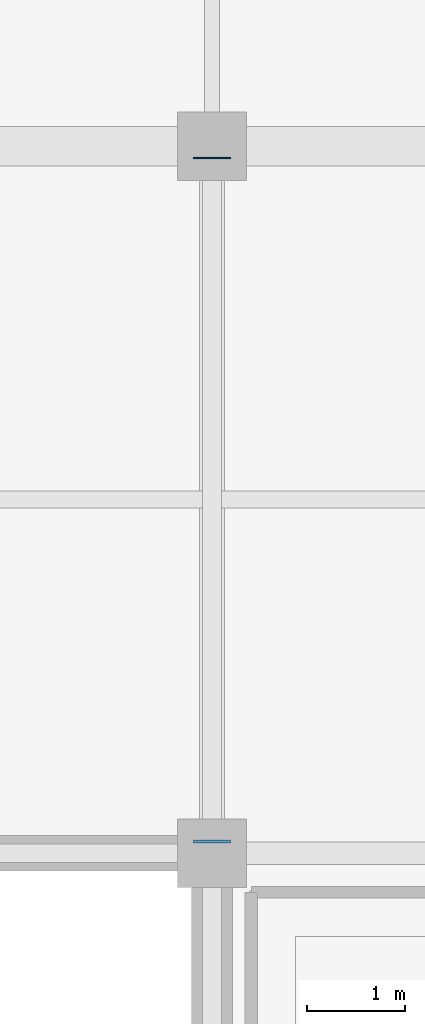
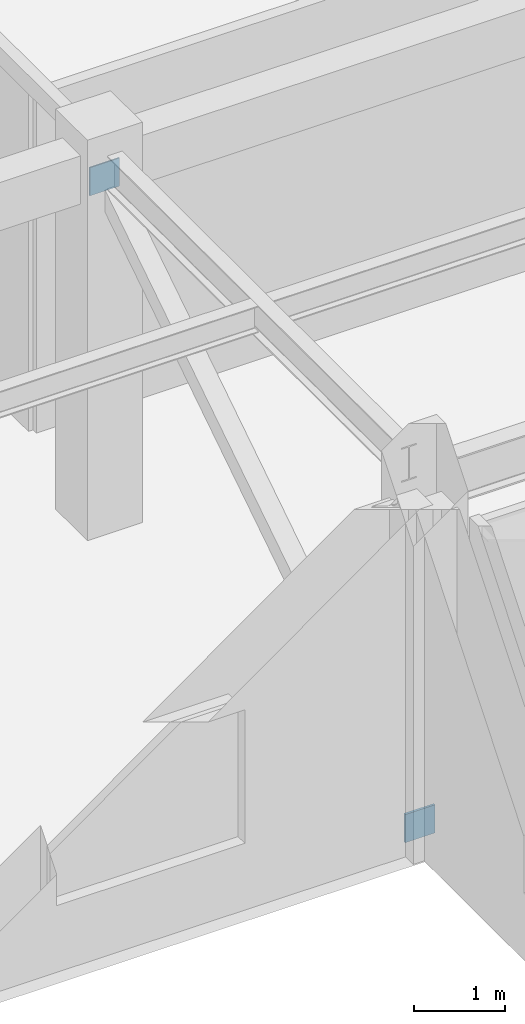
# One storey, part 71 of 102: 2 plates.
"""IFC4 building model written with IfcOpenShell, lengths in metres."""

from ifc_helpers import new_model, si_unit, direction, frame, origin, origin_2d, place, context, subcontext, project, spatial, rectangle, extrude, material, layer, layer_set, type_object, element, save


model = new_model("IFC4")

# Units and contexts
model_context = context("Model", 3, precision=1e-05, world=origin(), true_north=direction((0.0, 1.0)))
body_context = subcontext(model_context, "Body", "Model", "MODEL_VIEW")
ifc_project = project(units=[si_unit("LENGTHUNIT", "METRE"), si_unit("AREAUNIT", "SQUARE_METRE"), si_unit("VOLUMEUNIT", "CUBIC_METRE"), si_unit("PLANEANGLEUNIT", "RADIAN"), si_unit("MASSUNIT", "GRAM", prefix="KILO")], contexts=[model_context])

# Site, building, storey
site_placement = place(None, origin())
site = spatial("IfcSite", under=ifc_project, at=site_placement, CompositionType="ELEMENT")
building_placement = place(site_placement, origin())
building = spatial("IfcBuilding", under=site, at=building_placement, Name="Carrowvane Square Congress Hotel", CompositionType="ELEMENT")
storey_placement = place(building_placement, origin())
storey = spatial("IfcBuildingStorey", under=building, at=storey_placement, Name="L00", CompositionType="ELEMENT", Elevation=0.0)

# Plates
ifc_material_1 = material(Name="Steel S355", Category="steel")
ifc_layer_1 = layer(ifc_material_1, 0.030029296875)
ifc_layer_set_1 = layer_set([ifc_layer_1], Name="Steel S355")
plate_type_1 = type_object("IfcPlateType", Name="PLT-GUS-30", PredefinedType="USERDEFINED", material=ifc_layer_set_1)
plate_1_placement = place(storey_placement, frame((134.0, 55.919921875, -0.0400390625), z_axis=(0.0, 0.0, 1.0), x_axis=(1.0, 0.0, 0.0)))
element("IfcPlate", 1, at=plate_1_placement, inside=storey, type_object=plate_type_1, Name="L00 brace connection end plate 271", ObjectType="GUSSET PLATE", PredefinedType="USERDEFINED", context=body_context, shape_type="SweptSolid", body=[
    extrude(rectangle(XDim=0.3798828125, YDim=0.030029296875, at=origin_2d()), origin(), (0.0, 0.0, 1.0), 0.3798828125),
])
ifc_material_2 = material(Name="Steel S355", Category="steel")
ifc_layer_2 = layer(ifc_material_2, 0.01611328125)
ifc_layer_set_2 = layer_set([ifc_layer_2], Name="Steel S355")
plate_type_2 = type_object("IfcPlateType", Name="PLT-STF-16", PredefinedType="USERDEFINED", material=ifc_layer_set_2)
plate_2_placement = place(storey_placement, frame((134.0, 62.8798828125, 4.4599609375), z_axis=(0.0, 0.0, 1.0), x_axis=(1.0, 0.0, 0.0)))
element("IfcPlate", 2, at=plate_2_placement, inside=storey, type_object=plate_type_2, Name="L00 brace connection end plate 272", ObjectType="STIFFENER PLATE", PredefinedType="USERDEFINED", context=body_context, shape_type="SweptSolid", body=[
    extrude(rectangle(XDim=0.3798828125, YDim=0.01611328125, at=origin_2d()), origin(), (0.0, 0.0, 1.0), 0.3798828125),
])

save(model, "model.ifc")
